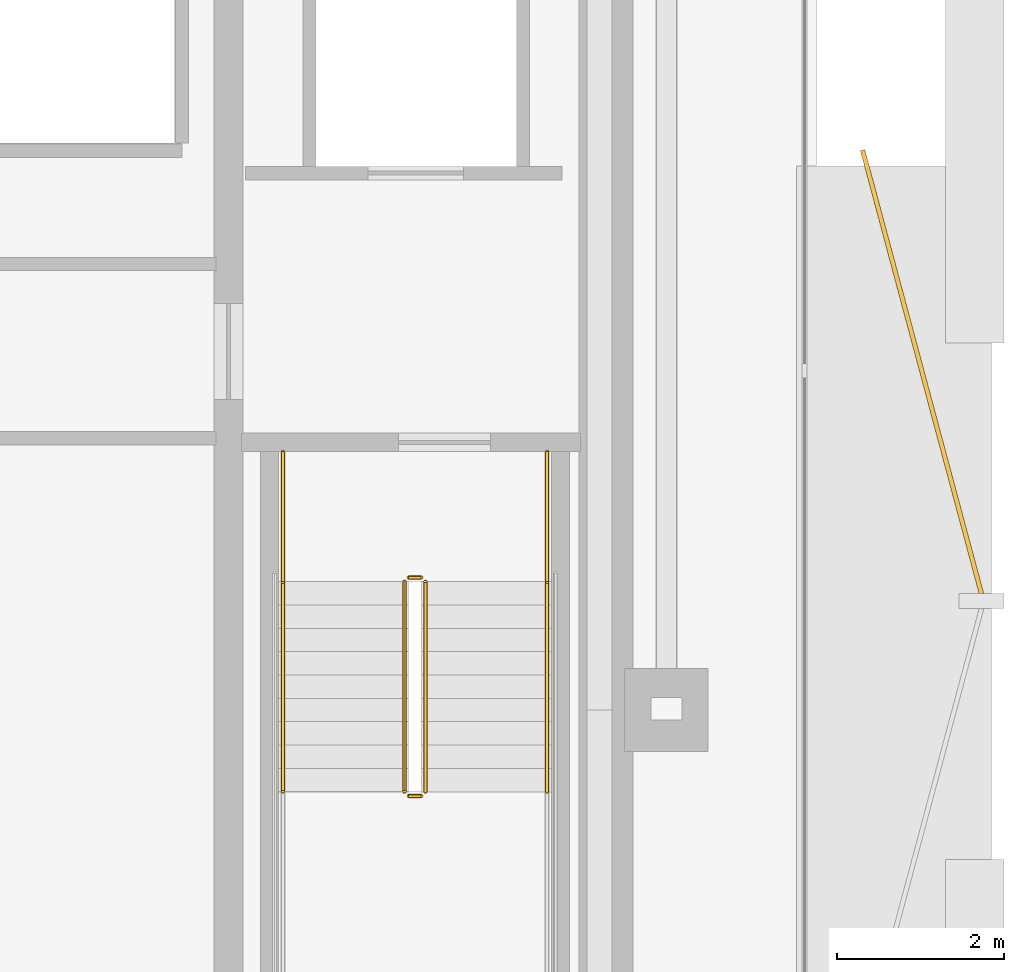
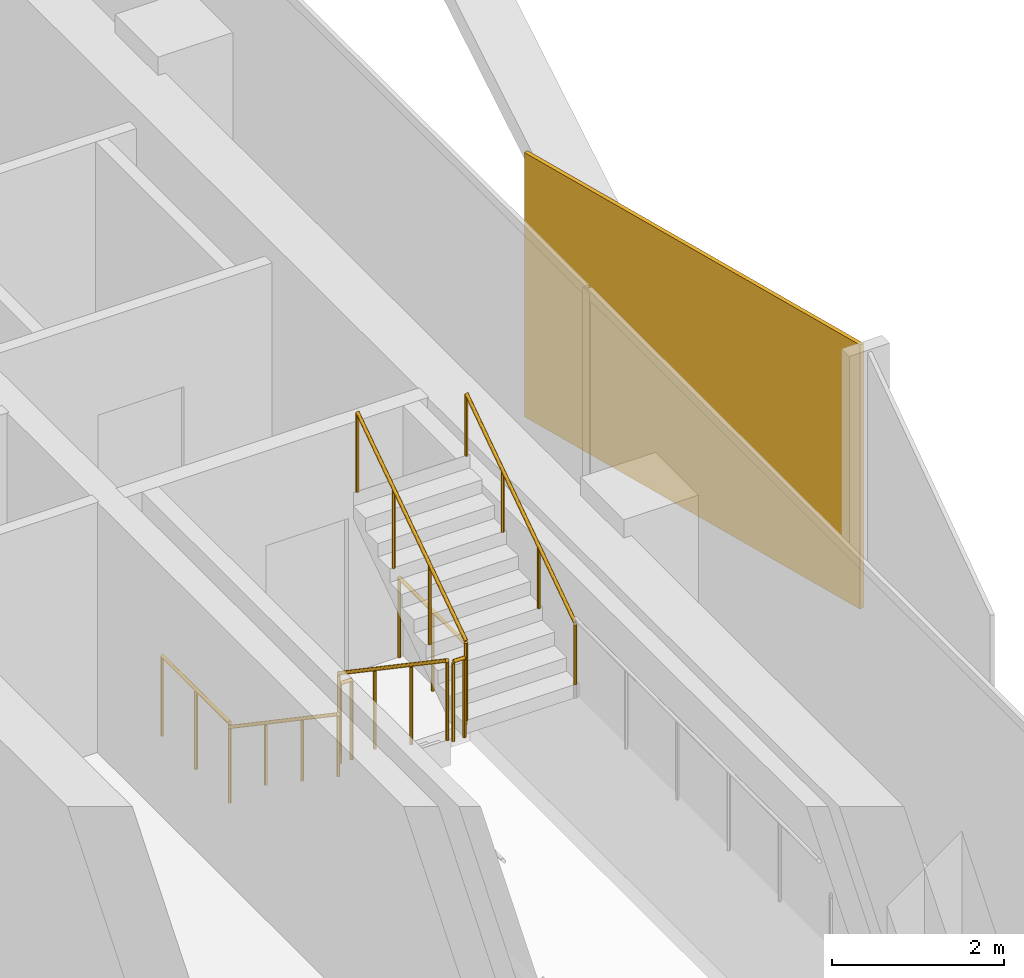
# One storey, part 15 of 17: 8 railings, 1 covering.
"""IFC4 building model written with IfcOpenShell, lengths in metres."""

from ifc_helpers import new_model, si_unit, direction, frame, origin, origin_2d, place, context, subcontext, project, spatial, rectangle, circle, extrude, material, layer, layer_set, type_object, element, save


model = new_model("IFC4")

# Units and contexts
model_context = context("Model", 3, precision=1e-05, world=origin(), true_north=direction((0.0, 1.0)))
body_context = subcontext(model_context, "Body", "Model", "MODEL_VIEW")
ifc_project = project(units=[si_unit("LENGTHUNIT", "METRE"), si_unit("AREAUNIT", "SQUARE_METRE"), si_unit("VOLUMEUNIT", "CUBIC_METRE"), si_unit("PLANEANGLEUNIT", "RADIAN"), si_unit("MASSUNIT", "GRAM", prefix="KILO")], contexts=[model_context])

# Site, building, storey
site_placement = place(None, origin())
site = spatial("IfcSite", under=ifc_project, at=site_placement, CompositionType="ELEMENT")
building_placement = place(site_placement, origin())
building = spatial("IfcBuilding", under=site, at=building_placement, Name="Khairoan Windgate Tower", CompositionType="ELEMENT")
storey_placement = place(building_placement, frame((0.0, 0.0, 203.0)))
storey = spatial("IfcBuildingStorey", under=building, at=storey_placement, Name="L47", CompositionType="ELEMENT", Elevation=203.0)

# Covering
ifc_material_1 = material(Name="Anodised Bronze Aluminium 6063-T6", Category="aluminium")
ifc_layer = layer(ifc_material_1, 0.054931640625, Name="Anodised Bronze Aluminium 6063-T6")
ifc_layer_set = layer_set([ifc_layer], Name="Anodised Bronze Aluminium 6063-T6")
covering_type = type_object("IfcCoveringType", Name="Perforated Bronze-Ceramic Folded Solar Screen Cladding BSC-1", PredefinedType="CLADDING", material=ifc_layer_set)
covering_placement = place(storey_placement, frame((23.8671875, -6.74560546875, -0.10009765625), z_axis=(0.0, 0.0, 1.0), x_axis=(0.258819045103, -0.965925826289, 0.0)))
element("IfcCovering", 1, at=covering_placement, inside=storey, type_object=covering_type, Name="L47 Folded Bronze Solar Screen Facet 320L", PredefinedType="CLADDING", context=body_context, shape_type="SweptSolid", body=[
    extrude(rectangle(XDim=5.507080078125, YDim=0.054931640625, at=origin_2d()), origin(), (0.0, 0.0, 1.0), 3.739990234375),
])

# Railings
ifc_material_2 = material(Name="Anodised Bronze Aluminium 6063-T6", Category="aluminium")
railing_type_1 = type_object("IfcRailingType", Name="Stair Wall Handrail SHR-900", PredefinedType="HANDRAIL", material=ifc_material_2)
railing_1_placement = place(storey_placement, frame((16.199951171875, -9.260009765625, 0.18994140625)))
element("IfcRailing", 2, at=railing_1_placement, inside=storey, type_object=railing_type_1, Name="L47 ST1 stair handrail 1", PredefinedType="HANDRAIL", context=body_context, shape_type="SweptSolid", body=[
    extrude(circle(Radius=0.02392578125, at=origin_2d()), frame((0.0, 0.0, 0.8759765625), z_axis=(0.0, -0.827483756001, 0.561489655786), x_axis=(1.0, 0.0, 0.0)), (0.0, 0.0, 1.0), 3.04541015625),
    extrude(circle(Radius=0.02099609375, at=origin_2d()), origin(), (0.0, 0.0, 1.0), 0.851806640625),
    extrude(circle(Radius=0.02099609375, at=origin_2d()), frame((0.0, -0.840087890625, 0.570068359375)), (0.0, 0.0, 1.0), 0.851806640625),
    extrude(circle(Radius=0.02099609375, at=origin_2d()), frame((0.0, -1.679931640625, 1.139892578125)), (0.0, 0.0, 1.0), 0.851806640625),
    extrude(circle(Radius=0.02099609375, at=origin_2d()), frame((0.0, -2.52001953125, 1.7099609375)), (0.0, 0.0, 1.0), 0.851806640625),
])
railing_2_placement = place(storey_placement, frame((19.3701171875, -11.780029296875, 2.090087890625)))
element("IfcRailing", 3, at=railing_2_placement, inside=storey, type_object=railing_type_1, Name="L47 ST1 stair handrail 2", PredefinedType="HANDRAIL", context=body_context, shape_type="SweptSolid", body=[
    extrude(circle(Radius=0.02392578125, at=origin_2d()), frame((0.0, 0.0, 0.8759765625), z_axis=(0.0, 0.827483756001, 0.561489655786), x_axis=(-1.0, 0.0, 0.0)), (0.0, 0.0, 1.0), 3.04541015625),
    extrude(circle(Radius=0.02099609375, at=origin_2d()), origin(), (0.0, 0.0, 1.0), 0.851806640625),
    extrude(circle(Radius=0.02099609375, at=origin_2d()), frame((0.0, 0.840087890625, 0.570068359375)), (0.0, 0.0, 1.0), 0.851806640625),
    extrude(circle(Radius=0.02099609375, at=origin_2d()), frame((0.0, 1.679931640625, 1.139892578125)), (0.0, 0.0, 1.0), 0.851806640625),
    extrude(circle(Radius=0.02099609375, at=origin_2d()), frame((0.0, 2.52001953125, 1.7099609375)), (0.0, 0.0, 1.0), 0.851806640625),
])
ifc_material_3 = material(Name="Steel S355", Category="steel")
railing_type_2 = type_object("IfcRailingType", Name="Stairwell Safety Guardrail SGR-1150", PredefinedType="GUARDRAIL", material=ifc_material_3)
railing_3_placement = place(storey_placement, frame((17.659912109375, -9.260009765625, 0.18994140625)))
element("IfcRailing", 4, at=railing_3_placement, inside=storey, type_object=railing_type_2, Name="L47 ST1 stair guard 1", PredefinedType="GUARDRAIL", context=body_context, shape_type="SweptSolid", body=[
    extrude(circle(Radius=0.02392578125, at=origin_2d()), frame((0.0, 0.0, 1.1259765625), z_axis=(0.0, -0.827483756001, 0.561489655786), x_axis=(1.0, 0.0, 0.0)), (0.0, 0.0, 1.0), 3.04541015625),
    extrude(circle(Radius=0.02099609375, at=origin_2d()), origin(), (0.0, 0.0, 1.0), 1.101806640625),
    extrude(circle(Radius=0.02099609375, at=origin_2d()), frame((0.0, -0.840087890625, 0.570068359375)), (0.0, 0.0, 1.0), 1.101806640625),
    extrude(circle(Radius=0.02099609375, at=origin_2d()), frame((0.0, -1.679931640625, 1.139892578125)), (0.0, 0.0, 1.0), 1.101806640625),
    extrude(circle(Radius=0.02099609375, at=origin_2d()), frame((0.0, -2.52001953125, 1.7099609375)), (0.0, 0.0, 1.0), 1.101806640625),
])
railing_4_placement = place(storey_placement, frame((17.7099609375, -11.830078125, 1.89990234375)))
element("IfcRailing", 5, at=railing_4_placement, inside=storey, type_object=railing_type_2, Name="L47 ST1 stair guard 2", PredefinedType="GUARDRAIL", context=body_context, shape_type="SweptSolid", body=[
    extrude(circle(Radius=0.02392578125, at=origin_2d()), frame((0.0, 0.0, 1.1259765625), z_axis=(1.0, 0.0, 0.0), x_axis=(0.0, 1.0, 0.0)), (0.0, 0.0, 1.0), 0.150146484375),
    extrude(circle(Radius=0.02099609375, at=origin_2d()), origin(), (0.0, 0.0, 1.0), 1.101806640625),
    extrude(circle(Radius=0.02099609375, at=origin_2d()), frame((0.150146484375, 0.0, 0.0)), (0.0, 0.0, 1.0), 1.101806640625),
])
railing_5_placement = place(storey_placement, frame((17.909912109375, -11.780029296875, 2.090087890625)))
element("IfcRailing", 6, at=railing_5_placement, inside=storey, type_object=railing_type_2, Name="L47 ST1 stair guard 6", PredefinedType="GUARDRAIL", context=body_context, shape_type="SweptSolid", body=[
    extrude(circle(Radius=0.02392578125, at=origin_2d()), frame((0.0, 0.0, 1.1259765625), z_axis=(0.0, 0.827483756001, 0.561489655786), x_axis=(-1.0, 0.0, 0.0)), (0.0, 0.0, 1.0), 3.04541015625),
    extrude(circle(Radius=0.02099609375, at=origin_2d()), origin(), (0.0, 0.0, 1.0), 1.101806640625),
    extrude(circle(Radius=0.02099609375, at=origin_2d()), frame((0.0, 0.840087890625, 0.570068359375)), (0.0, 0.0, 1.0), 1.101806640625),
    extrude(circle(Radius=0.02099609375, at=origin_2d()), frame((0.0, 1.679931640625, 1.139892578125)), (0.0, 0.0, 1.0), 1.101806640625),
    extrude(circle(Radius=0.02099609375, at=origin_2d()), frame((0.0, 2.52001953125, 1.7099609375)), (0.0, 0.0, 1.0), 1.101806640625),
])
railing_6_placement = place(storey_placement, frame((17.7099609375, -9.2099609375, 0.0)))
element("IfcRailing", 7, at=railing_6_placement, inside=storey, type_object=railing_type_2, Name="L47 ST1 stair guard 7", PredefinedType="GUARDRAIL", context=body_context, shape_type="SweptSolid", body=[
    extrude(circle(Radius=0.02392578125, at=origin_2d()), frame((0.0, 0.0, 1.1259765625), z_axis=(1.0, 0.0, 0.0), x_axis=(0.0, 1.0, 0.0)), (0.0, 0.0, 1.0), 0.150146484375),
    extrude(circle(Radius=0.02099609375, at=origin_2d()), origin(), (0.0, 0.0, 1.0), 1.101806640625),
    extrude(circle(Radius=0.02099609375, at=origin_2d()), frame((0.150146484375, 0.0, 0.0)), (0.0, 0.0, 1.0), 1.101806640625),
])
for number, where, name in (
    (8, (16.199951171875, -7.699951171875, 0.0), "L47 ST1 stair guard 8"),
    (9, (19.3701171875, -7.699951171875, 0.0), "L47 ST1 stair guard 9"),
):
    element("IfcRailing", number, at=place(storey_placement, frame(where)), inside=storey, type_object=railing_type_2, Name=name, PredefinedType="GUARDRAIL", context=body_context, shape_type="SweptSolid", body=[
        extrude(circle(Radius=0.02392578125, at=origin_2d()), frame((0.0, 0.0, 1.1259765625), z_axis=(0.0, -1.0, 0.0), x_axis=(1.0, 0.0, 0.0)), (0.0, 0.0, 1.0), 1.56005859375),
        extrude(circle(Radius=0.02099609375, at=origin_2d()), origin(), (0.0, 0.0, 1.0), 1.101806640625),
        extrude(circle(Radius=0.02099609375, at=origin_2d()), frame((0.0, -0.780029296875, 0.0)), (0.0, 0.0, 1.0), 1.101806640625),
        extrude(circle(Radius=0.02099609375, at=origin_2d()), frame((0.0, -1.56005859375, 0.0)), (0.0, 0.0, 1.0), 1.101806640625),
    ])

save(model, "model.ifc")
